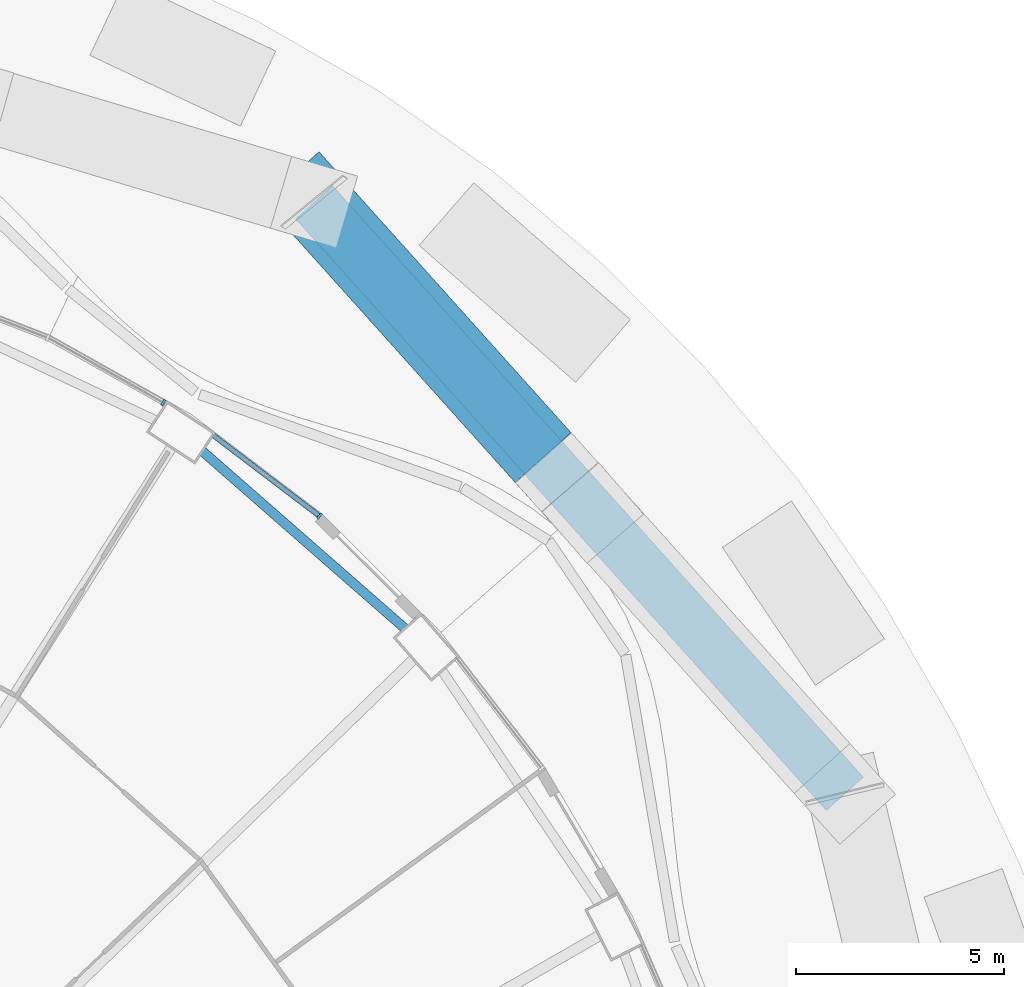
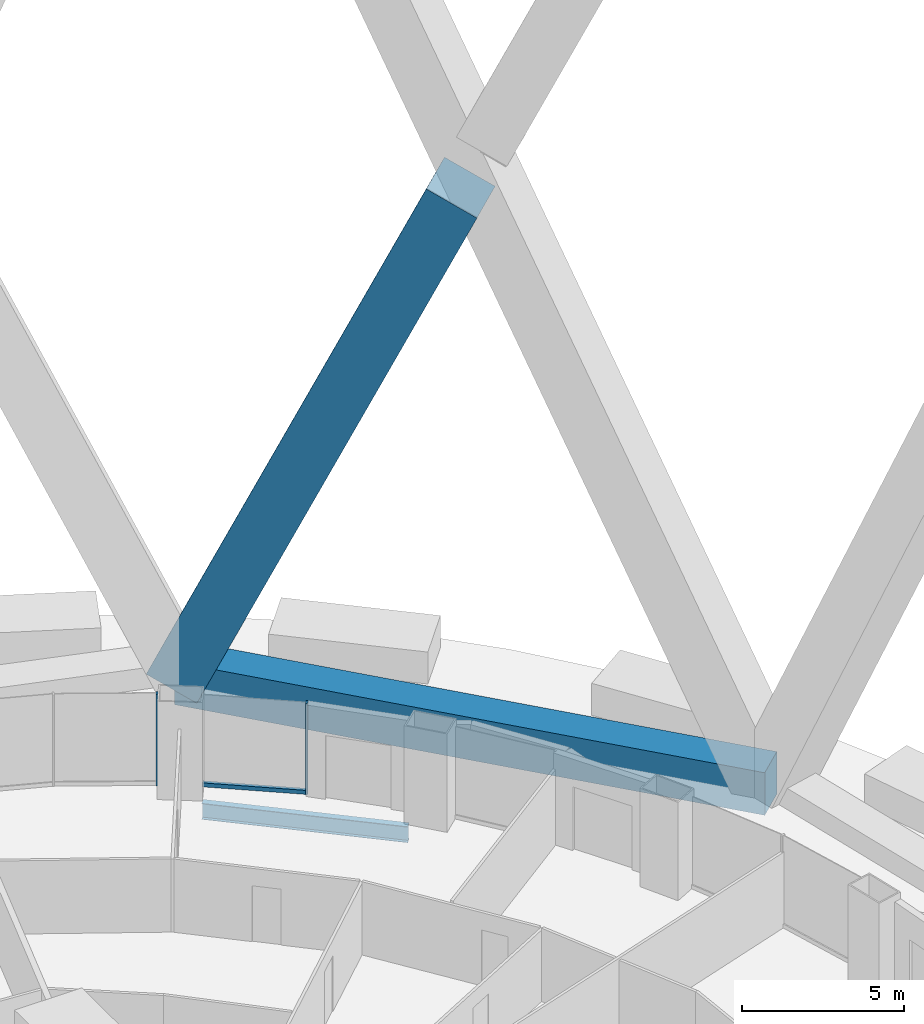
# One storey, part 29 of 42: 5 members, 1 beam, 2 elements without a shape of their own.
"""IFC4 building model written with IfcOpenShell, lengths in metres."""

from ifc_helpers import new_model, si_unit, direction, frame, origin, origin_2d, place, context, subcontext, project, spatial, rectangle, i_section, extrude, material, layer, layer_set, material_profile, profile_set, type_object, element, aggregate, save


model = new_model("IFC4")

# Units and contexts
model_context = context("Model", 3, precision=1e-05, world=origin(), true_north=direction((0.0, 1.0)))
body_context = subcontext(model_context, "Body", "Model", "MODEL_VIEW")
ifc_project = project(units=[si_unit("LENGTHUNIT", "METRE"), si_unit("AREAUNIT", "SQUARE_METRE"), si_unit("VOLUMEUNIT", "CUBIC_METRE"), si_unit("PLANEANGLEUNIT", "RADIAN"), si_unit("MASSUNIT", "GRAM", prefix="KILO")], contexts=[model_context])

# Site, building, storey
site_placement = place(None, origin())
site = spatial("IfcSite", under=ifc_project, at=site_placement, CompositionType="ELEMENT")
building_placement = place(site_placement, origin())
building = spatial("IfcBuilding", under=site, at=building_placement, Name="Nagisa Residences", CompositionType="ELEMENT")
storey_placement = place(building_placement, frame((0.0, 0.0, 27.0)))
storey = spatial("IfcBuildingStorey", under=building, at=storey_placement, Name="L05", CompositionType="ELEMENT", Elevation=27.0)

# Curtain wall, member
ifc_material_1 = material(Name="Concrete-coloured aluminium curtain wall system", Category="concrete")
ifc_layer = layer(ifc_material_1, 0.159912109375)
ifc_layer_set = layer_set([ifc_layer], Name="CW1 CURTAIN WALL")
curtain_wall_type = type_object("IfcCurtainWallType", Name="CW1 CURTAIN WALL", PredefinedType="NOTDEFINED", material=ifc_layer_set)
curtain_wall_1_placement = place(storey_placement, origin())
curtain_wall_1 = element("IfcCurtainWall", 1, at=curtain_wall_1_placement, inside=storey, type_object=curtain_wall_type, Name="cw:CW1:L05:07", PredefinedType="NOTDEFINED")
ifc_material_2 = material(Name="Concrete-coloured aluminium", Category="concrete")
ifc_material_profile_1 = material_profile(ifc_material_2, rectangle(XDim=0.159912109375, YDim=0.06005859375, at=origin_2d()), Name="CW1 MULLION 160x60")
ifc_profile_set_1 = profile_set([ifc_material_profile_1], Name="Concrete-coloured aluminium")
member_type_1 = type_object("IfcMemberType", Name="CW1 MULLION 160x60", PredefinedType="MULLION", material=ifc_profile_set_1)
member_1_placement = place(storey_placement, frame((21.181884765625, 26.13525390625, 0.0), z_axis=(0.0, 0.0, 1.0), x_axis=(-0.605255421737, -0.79603132756, 0.0)))
member_1 = element("IfcMember", 2, at=member_1_placement, type_object=member_type_1, Name="CW1 mullion", PredefinedType="MULLION", context=body_context, shape_type="SweptSolid", body=[
    extrude(rectangle(XDim=0.159912109375, YDim=0.06005859375, at=origin_2d()), origin(), (0.0, 0.0, 1.0), 3.43994140625),
])

curtain_wall_2_placement = place(storey_placement, origin())
curtain_wall_2 = element("IfcCurtainWall", 3, at=curtain_wall_2_placement, inside=storey, type_object=curtain_wall_type, Name="cw:CW1:L05:08", PredefinedType="NOTDEFINED")
member_2_placement = place(storey_placement, frame((17.42431640625, 28.8662109375, 0.0), z_axis=(0.0, 0.0, 1.0), x_axis=(-0.489376918501, -0.872072377523, 0.0)))
member_2 = element("IfcMember", 4, at=member_2_placement, type_object=member_type_1, Name="CW1 mullion", PredefinedType="MULLION", context=body_context, shape_type="SweptSolid", body=[
    extrude(rectangle(XDim=0.159912109375, YDim=0.06005859375, at=origin_2d()), origin(), (0.0, 0.0, 1.0), 3.43994140625),
])
aggregate(curtain_wall_2, [member_2])

# Member
ifc_material_3 = material(Name="Concrete-coloured aluminium", Category="concrete")
ifc_material_profile_2 = material_profile(ifc_material_3, rectangle(XDim=0.1201171875, YDim=0.14990234375, at=origin_2d()), Name="CW1 TRANSOM 120x150")
ifc_profile_set_2 = profile_set([ifc_material_profile_2], Name="Concrete-coloured aluminium")
member_type_2 = type_object("IfcMemberType", Name="CW1 TRANSOM 120x150", PredefinedType="USERDEFINED", material=ifc_profile_set_2)
member_3_placement = place(storey_placement, frame((21.20556640625, 26.116943359375, 0.074951171875), z_axis=(-0.79599487499, 0.605303361125, 0.0), x_axis=(-0.605303361125, -0.79599487499, 0.0)))
member_3 = element("IfcMember", 5, at=member_3_placement, type_object=member_type_2, Name="CW1 transom", ObjectType="TRANSOM", PredefinedType="USERDEFINED", context=body_context, shape_type="SweptSolid", body=[
    extrude(rectangle(XDim=0.1201171875, YDim=0.14990234375, at=origin_2d()), origin(), (0.0, 0.0, 1.0), 3.26220703125),
])

aggregate(curtain_wall_1, [member_1, member_3])

# Members
ifc_material_4 = material(Name="Concrete C80", Category="concrete")
ifc_material_profile_3 = material_profile(ifc_material_4, rectangle(XDim=1.800048828125, YDim=1.800048828125, at=origin_2d()), Name="C80 1800x1800")
ifc_profile_set_3 = profile_set([ifc_material_profile_3], Name="Concrete C80")
member_type_3 = type_object("IfcMemberType", Name="Cage diagonal 1 C80 1800x1800", PredefinedType="BRACE", material=ifc_profile_set_3)
member_4_placement = place(storey_placement, frame((21.050048828125, 33.6884765625, 0.0), z_axis=(0.273553320431, -0.304912543433, 0.912248278561), x_axis=(0.744346805607, 0.667793256168, 0.0)))
element("IfcMember", 6, at=member_4_placement, inside=storey, type_object=member_type_3, Name="mem:L05:cg1d104a", PredefinedType="BRACE", context=body_context, shape_type="SweptSolid", body=[
    extrude(rectangle(XDim=1.800048828125, YDim=1.800048828125, at=origin_2d()), origin(), (0.0, 0.0, 1.0), 22.164794921875),
])
ifc_material_5 = material(Name="Concrete C80", Category="concrete")
ifc_material_profile_4 = material_profile(ifc_material_5, rectangle(XDim=1.199951171875, YDim=1.60009765625, at=origin_2d()), Name="C80 1200x1600")
ifc_profile_set_4 = profile_set([ifc_material_profile_4], Name="Concrete C80")
member_type_4 = type_object("IfcMemberType", Name="Cage ring 1 C80 1200x1600", PredefinedType="CHORD", material=ifc_profile_set_4)
member_5_placement = place(storey_placement, frame((33.82421875, 19.449951171875, 0.0), z_axis=(-0.66779408663, 0.744346060554, 0.0), x_axis=(-0.744346060554, -0.66779408663, 0.0)))
element("IfcMember", 7, at=member_5_placement, inside=storey, type_object=member_type_4, Name="beam:L05:cg1r102", PredefinedType="CHORD", context=body_context, shape_type="SweptSolid", body=[
    extrude(rectangle(XDim=1.199951171875, YDim=1.60009765625, at=origin_2d()), origin(), (0.0, 0.0, 1.0), 19.12890625),
])

# Beam
ifc_material_6 = material(Name="Steel ASTM A572 Gr 50", Category="steel")
ifc_material_profile_5 = material_profile(ifc_material_6, i_section(OverallWidth=0.22802734375, OverallDepth=0.60302734375, WebThickness=0.010498046875, FlangeThickness=0.014892578125, at=origin_2d()), Name="W610x101")
ifc_profile_set_5 = profile_set([ifc_material_profile_5], Name="Steel ASTM A572 Gr 50")
beam_type = type_object("IfcBeamType", Name="Perimeter ring beam W610x101", PredefinedType="BEAM", material=ifc_profile_set_5)
beam_placement = place(storey_placement, frame((23.236328125, 23.432861328125, -0.5615234375), z_axis=(-0.7525907186, 0.658488580217, 0.0), x_axis=(-0.658488580217, -0.7525907186, 0.0)))
element("IfcBeam", 8, at=beam_placement, inside=storey, type_object=beam_type, Name="beam:L05:pb04", PredefinedType="BEAM", context=body_context, shape_type="SweptSolid", body=[
    extrude(i_section(OverallWidth=0.22802734375, OverallDepth=0.60302734375, WebThickness=0.010498046875, FlangeThickness=0.014892578125, at=origin_2d()), origin(), (0.0, 0.0, 1.0), 6.470458984375),
])

save(model, "model.ifc")
